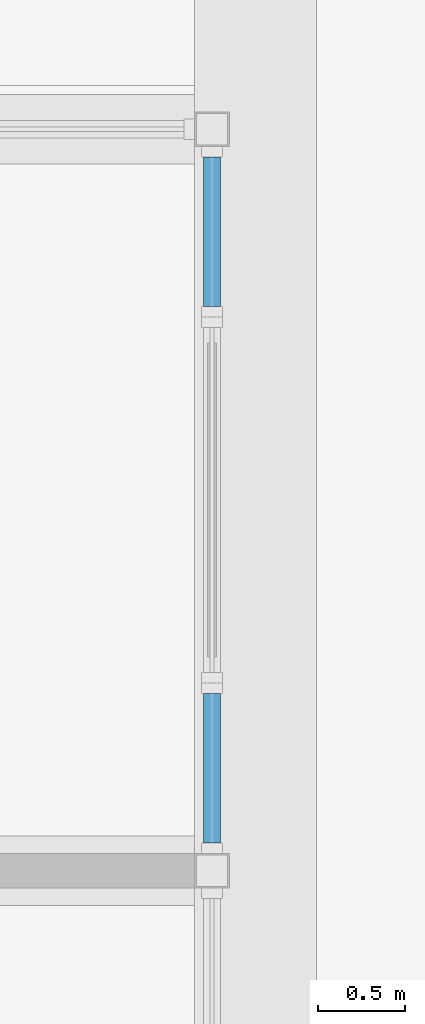
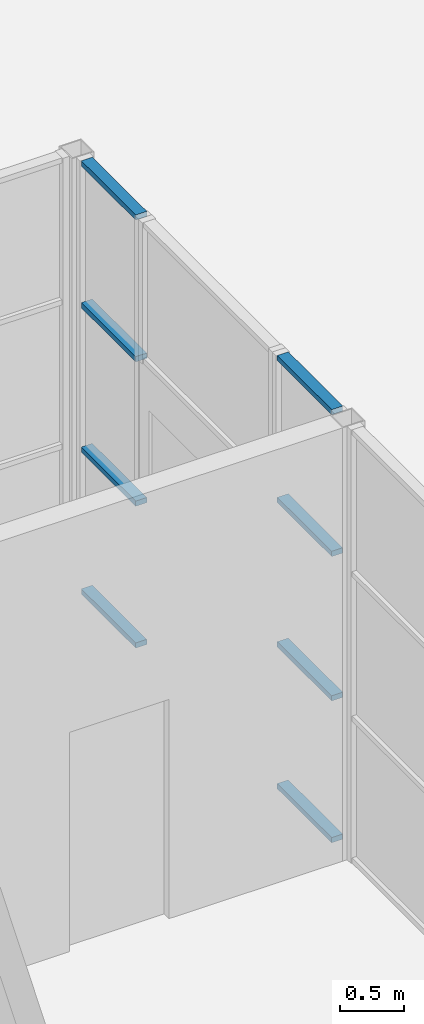
# One storey, part 67 of 168: 8 members, 2 elements without a shape of their own.
"""IFC4 building model written with IfcOpenShell, lengths in metres."""

import ifcopenshell
import ifcopenshell.guid

model = None  # the IFC model being written
_history = None  # IfcOwnerHistory: only IFC2X3 demands one
_inside = {}  # id of a spatial element -> (the spatial element, [elements in it])
_under = {}  # id of a project, library or spatial element -> (it, [spatial elements below it])
_declared = {}  # id of a project -> (the project, [libraries it declares])
_typed = {}  # id of a type object -> (the type object, [elements of that type])
_made_of = {}  # id of a material, layer set ... -> (it, [elements and type objects made of it])


def new_model(schema):
    """Start an empty IFC model of exactly this schema.

    Asked for "IFC4X3", IfcOpenShell would pick the latest addendum, in which some entities
    have other attributes; the version numbers below select the first issue.
    IFC2X3 requires an IfcOwnerHistory on every rooted entity: one is made here for all.
    """
    global model, _history
    if schema == "IFC4X3":
        model = ifcopenshell.file(schema_version=(4, 3, 0, 0))
    else:
        model = ifcopenshell.file(schema=schema)
    _inside.clear()
    _under.clear()
    _declared.clear()
    _typed.clear()
    _made_of.clear()
    _history = None
    if model.schema == "IFC2X3":
        org = make("IfcOrganization", Name="unknown")
        user = make(
            "IfcPersonAndOrganization",
            ThePerson=make("IfcPerson", FamilyName="unknown"),
            TheOrganization=org,
        )
        app = make(
            "IfcApplication",
            ApplicationDeveloper=org,
            Version="unknown",
            ApplicationFullName="unknown",
            ApplicationIdentifier="unknown",
        )
        _history = make(
            "IfcOwnerHistory",
            OwningUser=user,
            OwningApplication=app,
            ChangeAction="ADDED",
            CreationDate=0,
        )
    return model


def make(cls, **values):
    """One entity of the class cls with the attributes given. An attribute that is None is left unset."""
    return model.create_entity(
        cls, **{name: value for name, value in values.items() if value is not None}
    )


def rooted(cls, **values):
    """An entity with a GlobalId (a new one), such as an element, a storey or a relation."""
    return make(cls, GlobalId=ifcopenshell.guid.new(), OwnerHistory=_history, **values)


def si_unit(unit_type, name, prefix=None):
    """IfcSIUnit, for example si_unit("LENGTHUNIT", "METRE", prefix="MILLI")."""
    return make("IfcSIUnit", UnitType=unit_type, Prefix=prefix, Name=name)


def assignment(units):
    """IfcUnitAssignment: the units of a project."""
    return None if units is None else make("IfcUnitAssignment", Units=units)


def point(xyz):
    """IfcCartesianPoint."""
    return None if xyz is None else make("IfcCartesianPoint", Coordinates=xyz)


def direction(xyz):
    """IfcDirection."""
    return None if xyz is None else make("IfcDirection", DirectionRatios=xyz)


def frame(location, z_axis=None, x_axis=None):
    """IfcAxis2Placement3D, a coordinate frame: its origin and axes. An axis left out is left unset."""
    return make(
        "IfcAxis2Placement3D",
        Location=point(location),
        Axis=direction(z_axis),
        RefDirection=direction(x_axis),
    )


def frame_2d(location, x_axis=None):
    """IfcAxis2Placement2D, a coordinate frame in the plane: its origin and x axis."""
    return make(
        "IfcAxis2Placement2D", Location=point(location), RefDirection=direction(x_axis)
    )


def origin():
    """The frame at (0, 0, 0) with its axes left unset."""
    return frame((0.0, 0.0, 0.0))


def origin_2d():
    """The frame at (0, 0) in the plane with its x axis left unset."""
    return frame_2d((0.0, 0.0))


def place(relative_to, where):
    """IfcLocalPlacement: puts the frame where relative to a parent placement (None: the world)."""
    return make(
        "IfcLocalPlacement", PlacementRelTo=relative_to, RelativePlacement=where
    )


def context(
    kind, dimensions, precision=None, world=None, true_north=None, identifier=None
):
    """IfcGeometricRepresentationContext, for example the 3D "Model" context."""
    return make(
        "IfcGeometricRepresentationContext",
        ContextIdentifier=identifier,
        ContextType=kind,
        CoordinateSpaceDimension=dimensions,
        Precision=precision,
        WorldCoordinateSystem=world,
        TrueNorth=true_north,
    )


def subcontext(parent, identifier, kind, view, scale=None):
    """IfcGeometricRepresentationSubContext, for example "Body" below "Model"."""
    return make(
        "IfcGeometricRepresentationSubContext",
        ContextIdentifier=identifier,
        ContextType=kind,
        ParentContext=parent,
        TargetScale=scale,
        TargetView=view,
    )


def project(units=None, contexts=None):
    """IfcProject with its units and contexts."""
    return rooted(
        "IfcProject",
        Name="project",
        RepresentationContexts=contexts,
        UnitsInContext=assignment(units),
    )


def spatial(cls, under=None, at=None, **own):
    """A site, building, storey or space (cls), placed at a placement, below another one or the project."""
    s = rooted(cls, ObjectPlacement=at, **own)
    if under is not None:
        _under.setdefault(under.id(), (under, []))[1].append(s)
    return s


def profile(cls, at=None, kind="AREA", **sizes):
    """A parametric profile (cls). Its sizes go by their IFC names, for example OverallWidth=200.0."""
    return make(cls, ProfileType=kind, Position=at, **sizes)


def rectangle(**sizes):
    """IfcRectangleProfileDef."""
    return profile("IfcRectangleProfileDef", **sizes)


def extrude(swept, where, along, depth):
    """IfcExtrudedAreaSolid: the profile swept, set in the frame where, extruded along a direction by depth."""
    return make(
        "IfcExtrudedAreaSolid",
        SweptArea=swept,
        Position=where,
        ExtrudedDirection=direction(along),
        Depth=depth,
    )


def shape(context_of_items, identifier, shape_type, items):
    """IfcShapeRepresentation: the items that make up one representation, for example the "Body"."""
    return make(
        "IfcShapeRepresentation",
        ContextOfItems=context_of_items,
        RepresentationIdentifier=identifier,
        RepresentationType=shape_type,
        Items=items,
    )


def material(Name=None, Category=None):
    """IfcMaterial."""
    return make("IfcMaterial", Name=Name, Category=Category)


def material_profile(
    of_material, cross_section, Name=None, Category=None, Priority=None
):
    """IfcMaterialProfile: a cross section and its material."""
    return make(
        "IfcMaterialProfile",
        Name=Name,
        Material=of_material,
        Profile=cross_section,
        Priority=Priority,
        Category=Category,
    )


def profile_set(profiles, Name=None, composite=None):
    """IfcMaterialProfileSet."""
    return make(
        "IfcMaterialProfileSet",
        Name=Name,
        MaterialProfiles=profiles,
        CompositeProfile=composite,
    )


def made_of(thing, what):
    """Note that an element or type object is made of a material, layer set ...; save() writes the relation."""
    if what is not None:
        _made_of.setdefault(what.id(), (what, []))[1].append(thing)
    return thing


def type_object(cls, material=None, **own):
    """A type object (cls), such as IfcWallType, which elements share."""
    return made_of(rooted(cls, **own), material)


def element(
    cls,
    number,
    at=None,
    inside=None,
    cuts=None,
    type_object=None,
    material=None,
    context=None,
    identifier="Body",
    shape_type=None,
    held_by="IfcProductDefinitionShape",
    body=None,
    shapes=None,
    **own,
):
    """One element of the class cls, such as IfcWall. Its Tag is "e" and its number.

    at: its placement. inside: the storey or other place that contains it. cuts: it is an
    opening in that element (IfcRelVoidsElement). A single representation is given by context,
    identifier, shape_type and body (its items); several are given by shapes. held_by: the class
    of the entity that holds the representations. save() writes the other relations.
    """
    e = rooted(cls, Tag="e%d" % number, ObjectPlacement=at, **own)
    if body is not None:
        shapes = [shape(context, identifier, shape_type, body)]
    if shapes is not None:
        e.Representation = make(held_by, Representations=shapes)
    if inside is not None:
        _inside.setdefault(inside.id(), (inside, []))[1].append(e)
    if cuts is not None:
        rooted(
            "IfcRelVoidsElement", RelatingBuildingElement=cuts, RelatedOpeningElement=e
        )
    if type_object is not None:
        _typed.setdefault(type_object.id(), (type_object, []))[1].append(e)
    return made_of(e, material)


def aggregate(whole, parts):
    """IfcRelAggregates: a whole, such as a stair, and the parts it consists of."""
    return rooted("IfcRelAggregates", RelatingObject=whole, RelatedObjects=parts)


def save(model, path):
    """Write the relations noted so far, then the file.

    IfcRelAggregates (storeys below a building ...), IfcRelContainedInSpatialStructure (elements
    in a storey), IfcRelDefinesByType, IfcRelAssociatesMaterial and IfcRelDeclares: one each for
    every whole, place, type object, material and project.
    """
    for whole, parts in _under.values():
        aggregate(whole, parts)
    for where, things in _inside.values():
        rooted(
            "IfcRelContainedInSpatialStructure",
            RelatedElements=things,
            RelatingStructure=where,
        )
    for kind, things in _typed.values():
        rooted("IfcRelDefinesByType", RelatedObjects=things, RelatingType=kind)
    for what, things in _made_of.values():
        rooted("IfcRelAssociatesMaterial", RelatedObjects=things, RelatingMaterial=what)
    for by, libraries in _declared.values():
        rooted("IfcRelDeclares", RelatingContext=by, RelatedDefinitions=libraries)
    model.write(path)


model = new_model("IFC4")

# Units and contexts
model_context = context("Model", 3, precision=1e-05, world=origin(), true_north=direction((0.0, 1.0)))
body_context = subcontext(model_context, "Body", "Model", "MODEL_VIEW")
ifc_project = project(units=[si_unit("LENGTHUNIT", "METRE"), si_unit("AREAUNIT", "SQUARE_METRE"), si_unit("VOLUMEUNIT", "CUBIC_METRE"), si_unit("PLANEANGLEUNIT", "RADIAN"), si_unit("MASSUNIT", "GRAM", prefix="KILO")], contexts=[model_context])

# Site, building, storey
site_placement = place(None, origin())
site = spatial("IfcSite", under=ifc_project, at=site_placement, CompositionType="ELEMENT")
building_placement = place(site_placement, origin())
building = spatial("IfcBuilding", under=site, at=building_placement, Name="Silverbay Arena", CompositionType="ELEMENT")
storey_placement = place(building_placement, frame((0.0, 0.0, 7.0)))
storey = spatial("IfcBuildingStorey", under=building, at=storey_placement, Name="L01", CompositionType="ELEMENT", Elevation=7.0)

# Curtain wall, members
ifc_material_1 = material(Name="Aluminium framed curtain wall", Category="aluminium")
curtain_wall_type = type_object("IfcCurtainWallType", Name="Curtain wall 975 x 4150", PredefinedType="NOTDEFINED", material=ifc_material_1)
curtain_wall_1_placement = place(storey_placement, origin())
curtain_wall_1 = element("IfcCurtainWall", 1, at=curtain_wall_1_placement, inside=storey, type_object=curtain_wall_type, Name="Pavilion east curtain wall 2", PredefinedType="NOTDEFINED")
ifc_material_2 = material(Name="Aluminium", Category="aluminium")
ifc_material_profile = material_profile(ifc_material_2, rectangle(XDim=0.10009765625, YDim=0.050048828125, at=origin_2d()), Name="Transom 50 x 100")
ifc_profile_set = profile_set([ifc_material_profile], Name="Aluminium")
member_type = type_object("IfcMemberType", Name="Transom 50 x 100", PredefinedType="USERDEFINED", material=ifc_profile_set)
member_1_placement = place(storey_placement, frame((17.75, 8.159912109375, 0.02490234375), z_axis=(0.0, 1.0, 0.0), x_axis=(-1.0, 0.0, 0.0)))
member_1 = element("IfcMember", 2, at=member_1_placement, type_object=member_type, Name="CW22 transom 1.1", ObjectType="TRANSOM", PredefinedType="USERDEFINED", context=body_context, shape_type="SweptSolid", body=[
    extrude(rectangle(XDim=0.10009765625, YDim=0.050048828125, at=origin_2d()), origin(), (0.0, 0.0, 1.0), 0.85498046875),
])
member_2_placement = place(storey_placement, frame((17.75, 8.159912109375, 1.38330078125), z_axis=(0.0, 1.0, 0.0), x_axis=(-1.0, 0.0, 0.0)))
member_2 = element("IfcMember", 3, at=member_2_placement, type_object=member_type, Name="CW22 transom 1.2", ObjectType="TRANSOM", PredefinedType="USERDEFINED", context=body_context, shape_type="SweptSolid", body=[
    extrude(rectangle(XDim=0.10009765625, YDim=0.050048828125, at=origin_2d()), origin(), (0.0, 0.0, 1.0), 0.85498046875),
])
member_3_placement = place(storey_placement, frame((17.75, 8.159912109375, 2.7666015625), z_axis=(0.0, 1.0, 0.0), x_axis=(-1.0, 0.0, 0.0)))
member_3 = element("IfcMember", 4, at=member_3_placement, type_object=member_type, Name="CW22 transom 1.3", ObjectType="TRANSOM", PredefinedType="USERDEFINED", context=body_context, shape_type="SweptSolid", body=[
    extrude(rectangle(XDim=0.10009765625, YDim=0.050048828125, at=origin_2d()), origin(), (0.0, 0.0, 1.0), 0.85498046875),
])
member_4_placement = place(storey_placement, frame((17.75, 8.159912109375, 4.125), z_axis=(0.0, 1.0, 0.0), x_axis=(-1.0, 0.0, 0.0)))
member_4 = element("IfcMember", 5, at=member_4_placement, type_object=member_type, Name="CW22 transom 1.4", ObjectType="TRANSOM", PredefinedType="USERDEFINED", context=body_context, shape_type="SweptSolid", body=[
    extrude(rectangle(XDim=0.10009765625, YDim=0.050048828125, at=origin_2d()), origin(), (0.0, 0.0, 1.0), 0.85498046875),
])
aggregate(curtain_wall_1, [member_1, member_2, member_3, member_4])

curtain_wall_2_placement = place(storey_placement, origin())
curtain_wall_2 = element("IfcCurtainWall", 6, at=curtain_wall_2_placement, inside=storey, type_object=curtain_wall_type, Name="Pavilion east curtain wall 3", PredefinedType="NOTDEFINED")
member_5_placement = place(storey_placement, frame((17.75, 11.235107421875, 0.02490234375), z_axis=(0.0, 1.0, 0.0), x_axis=(-1.0, 0.0, 0.0)))
member_5 = element("IfcMember", 7, at=member_5_placement, type_object=member_type, Name="CW22 transom 1.1", ObjectType="TRANSOM", PredefinedType="USERDEFINED", context=body_context, shape_type="SweptSolid", body=[
    extrude(rectangle(XDim=0.10009765625, YDim=0.050048828125, at=origin_2d()), origin(), (0.0, 0.0, 1.0), 0.85498046875),
])
member_6_placement = place(storey_placement, frame((17.75, 11.235107421875, 1.38330078125), z_axis=(0.0, 1.0, 0.0), x_axis=(-1.0, 0.0, 0.0)))
member_6 = element("IfcMember", 8, at=member_6_placement, type_object=member_type, Name="CW22 transom 1.2", ObjectType="TRANSOM", PredefinedType="USERDEFINED", context=body_context, shape_type="SweptSolid", body=[
    extrude(rectangle(XDim=0.10009765625, YDim=0.050048828125, at=origin_2d()), origin(), (0.0, 0.0, 1.0), 0.85498046875),
])
member_7_placement = place(storey_placement, frame((17.75, 11.235107421875, 2.7666015625), z_axis=(0.0, 1.0, 0.0), x_axis=(-1.0, 0.0, 0.0)))
member_7 = element("IfcMember", 9, at=member_7_placement, type_object=member_type, Name="CW22 transom 1.3", ObjectType="TRANSOM", PredefinedType="USERDEFINED", context=body_context, shape_type="SweptSolid", body=[
    extrude(rectangle(XDim=0.10009765625, YDim=0.050048828125, at=origin_2d()), origin(), (0.0, 0.0, 1.0), 0.85498046875),
])
member_8_placement = place(storey_placement, frame((17.75, 11.235107421875, 4.125), z_axis=(0.0, 1.0, 0.0), x_axis=(-1.0, 0.0, 0.0)))
member_8 = element("IfcMember", 10, at=member_8_placement, type_object=member_type, Name="CW22 transom 1.4", ObjectType="TRANSOM", PredefinedType="USERDEFINED", context=body_context, shape_type="SweptSolid", body=[
    extrude(rectangle(XDim=0.10009765625, YDim=0.050048828125, at=origin_2d()), origin(), (0.0, 0.0, 1.0), 0.85498046875),
])
aggregate(curtain_wall_2, [member_5, member_6, member_7, member_8])

save(model, "model.ifc")
